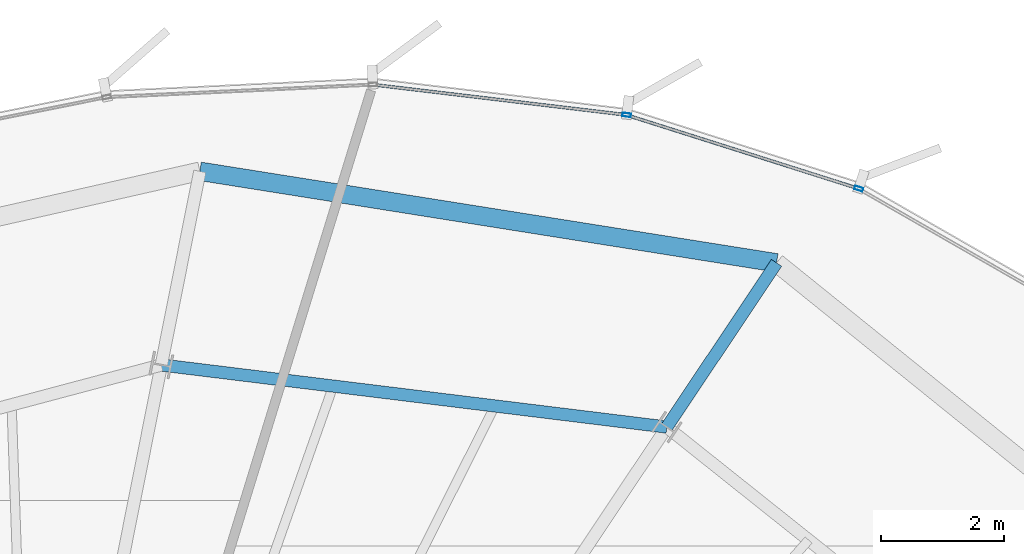
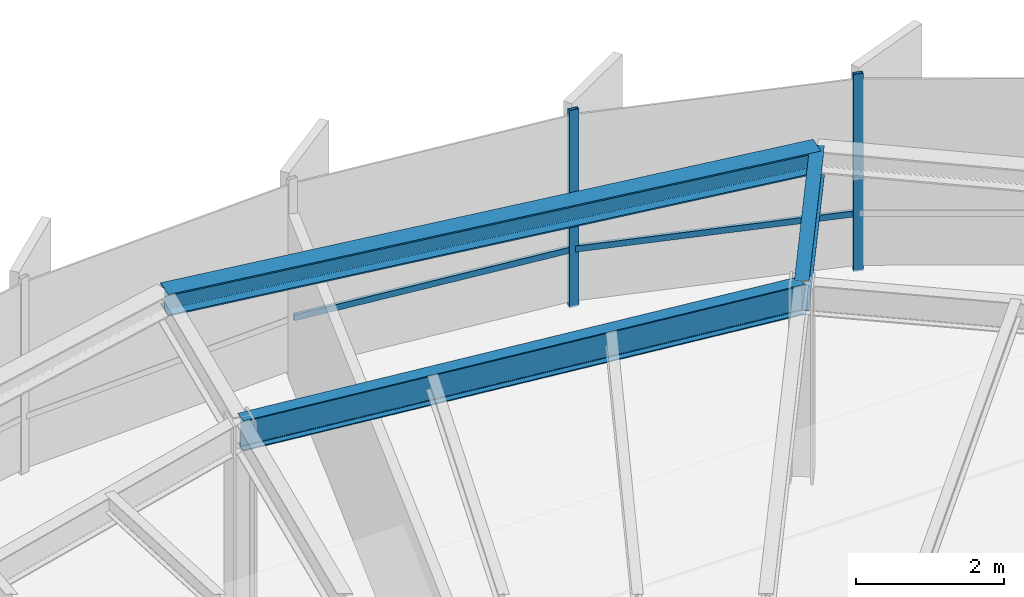
# One storey, part 26 of 35: 4 members, 3 beams, 1 element without a shape of its own.
"""IFC4 building model written with IfcOpenShell, lengths in metres."""

from ifc_helpers import new_model, si_unit, direction, frame, origin, origin_2d, place, context, subcontext, project, spatial, hollow_rectangle, i_section, extrude, source, transform, mapped, material, layer, layer_set, material_profile, profile_set, type_object, element, aggregate, save


model = new_model("IFC4")

# Units and contexts
model_context = context("Model", 3, precision=1e-05, world=origin(), true_north=direction((0.0, 1.0)))
body_context = subcontext(model_context, "Body", "Model", "MODEL_VIEW")
ifc_project = project(units=[si_unit("LENGTHUNIT", "METRE"), si_unit("AREAUNIT", "SQUARE_METRE"), si_unit("VOLUMEUNIT", "CUBIC_METRE"), si_unit("PLANEANGLEUNIT", "RADIAN"), si_unit("MASSUNIT", "GRAM", prefix="KILO"), si_unit("THERMODYNAMICTEMPERATUREUNIT", "KELVIN")], contexts=[model_context])

# Site, building, storey
site_placement = place(None, origin())
site = spatial("IfcSite", under=ifc_project, at=site_placement, CompositionType="ELEMENT")
building_placement = place(site_placement, origin())
building = spatial("IfcBuilding", under=site, at=building_placement, Name="Kethvar Cultural Tower", CompositionType="ELEMENT")
storey_placement = place(building_placement, frame((0.0, 0.0, 193.89990234375)))
storey = spatial("IfcBuildingStorey", under=building, at=storey_placement, Name="L50", CompositionType="ELEMENT", Elevation=193.89990234375)

# Beams
ifc_material_1 = material(Name="Steel S355J2", Category="steel")
ifc_material_profile_1 = material_profile(ifc_material_1, i_section(OverallWidth=0.199951171875, OverallDepth=0.5, WebThickness=0.01025390625, FlangeThickness=0.01611328125, FilletRadius=0.02099609375, at=origin_2d()), Name="Steel S355J2 — IPE500")
ifc_profile_set_1 = profile_set([ifc_material_profile_1], Name="Steel S355J2 — IPE500")
beam_type_1 = type_object("IfcBeamType", Name="BM-IPE500", PredefinedType="BEAM", material=ifc_profile_set_1)
shared_shape_1 = source(origin(), body_context, "Body", "SweptSolid", [
    extrude(i_section(OverallWidth=0.199951171875, OverallDepth=0.5, WebThickness=0.01025390625, FlangeThickness=0.01611328125, FilletRadius=0.02099609375, at=origin_2d()), origin(), (0.0, 0.0, 1.0), 3.2001953125),
])
beam_1_placement = place(storey_placement, frame((58.748046875, 45.681396484375, 3.008056640625), z_axis=(0.555544970406, 0.831486491686, 0.0), x_axis=(-0.831486491686, 0.555544970406, 0.0)))
element("IfcBeam", 1, at=beam_1_placement, inside=storey, type_object=beam_type_1, Name="L50 Perimeter Cantilever Beam RC-03", PredefinedType="BEAM", context=body_context, shape_type="MappedRepresentation", body=[
    mapped(shared_shape_1, transform((0.0, 0.0, 0.0), scale=1.0)),
])
shared_shape_2 = source(origin(), body_context, "Body", "SweptSolid", [
    extrude(i_section(OverallWidth=0.199951171875, OverallDepth=0.5, WebThickness=0.01025390625, FlangeThickness=0.01611328125, FilletRadius=0.02099609375, at=origin_2d()), origin(), (0.0, 0.0, 1.0), 8.252685546875),
])
beam_2_placement = place(storey_placement, frame((58.748046875, 45.681396484375, 3.008056640625), z_axis=(-0.992540943467, 0.121911753093, 0.0), x_axis=(-0.121911753093, -0.992540943467, 0.0)))
element("IfcBeam", 2, at=beam_2_placement, inside=storey, type_object=beam_type_1, Name="L50 Column Ring Tie Beam CR-03", PredefinedType="BEAM", context=body_context, shape_type="MappedRepresentation", body=[
    mapped(shared_shape_2, transform((0.0, 0.0, 0.0), scale=1.0)),
])
ifc_material_profile_2 = material_profile(ifc_material_1, i_section(OverallWidth=0.300048828125, OverallDepth=0.360107421875, WebThickness=0.012451171875, FlangeThickness=0.0224609375, FilletRadius=0.027099609375, at=origin_2d()), Name="Steel S355J2 — HEB360")
ifc_profile_set_2 = profile_set([ifc_material_profile_2], Name="Steel S355J2 — HEB360")
beam_type_2 = type_object("IfcBeamType", Name="BM-SP360", PredefinedType="SPANDREL", material=ifc_profile_set_2)
shared_shape_3 = source(origin(), body_context, "Body", "SweptSolid", [
    extrude(i_section(OverallWidth=0.300048828125, OverallDepth=0.360107421875, WebThickness=0.012451171875, FlangeThickness=0.0224609375, FilletRadius=0.027099609375, at=origin_2d()), origin(), (0.0, 0.0, 1.0), 9.461669921875),
])
beam_3_placement = place(storey_placement, frame((60.52587890625, 48.34228515625, 3.078125), z_axis=(-0.987629757191, 0.156803898904, 0.0), x_axis=(-0.156803898904, -0.987629757191, 0.0)))
element("IfcBeam", 3, at=beam_3_placement, inside=storey, type_object=beam_type_2, Name="L50 Perimeter Spandrel Beam SP-03", PredefinedType="SPANDREL", context=body_context, shape_type="MappedRepresentation", body=[
    mapped(shared_shape_3, transform((0.0, 0.0, 0.0), scale=1.0)),
])

# Curtain wall, members
ifc_material_2 = material(Name="Aluminium 6063-T6", Category="aluminium")
ifc_layer = layer(ifc_material_2, 0.179931640625, Name="Aluminium 6063-T6", Category="aluminium")
ifc_layer_set = layer_set([ifc_layer], Name="Aluminium 6063-T6 (180 mm)")
curtain_wall_type = type_object("IfcCurtainWallType", Name="CW-SYS-04-Z34", PredefinedType="NOTDEFINED", material=ifc_layer_set)
curtain_wall_placement = place(storey_placement, origin())
curtain_wall = element("IfcCurtainWall", 4, at=curtain_wall_placement, inside=storey, type_object=curtain_wall_type, Name="L50 Curtain Wall Run 01", PredefinedType="NOTDEFINED")
ifc_material_profile_3 = material_profile(ifc_material_2, hollow_rectangle(XDim=0.06005859375, YDim=0.139892578125, WallThickness=0.0048828125, at=origin_2d()), Name="Aluminium 6063-T6 — RHS140x60x5")
ifc_profile_set_3 = profile_set([ifc_material_profile_3], Name="Aluminium 6063-T6 — RHS140x60x5")
member_type_1 = type_object("IfcMemberType", Name="CW-SYS-04-Z34-MUL", PredefinedType="MULLION", material=ifc_profile_set_3)
shared_shape_4 = source(origin(), body_context, "Body", "SweptSolid", [
    extrude(hollow_rectangle(XDim=0.06005859375, YDim=0.139892578125, WallThickness=0.0048828125, at=origin_2d()), origin(), (0.0, 0.0, 1.0), 3.260009765625),
])
member_1_placement = place(storey_placement, frame((61.857421875, 49.54443359375, 0.0), z_axis=(0.0, 0.0, 1.0), x_axis=(-0.30220352299, -0.953243426776, 0.0)))
member_1 = element("IfcMember", 5, at=member_1_placement, type_object=member_type_1, Name="CW-L50-R01 Mullion 3", PredefinedType="MULLION", context=body_context, shape_type="MappedRepresentation", body=[
    mapped(shared_shape_4, transform((0.0, 0.0, 0.0), scale=1.0)),
])
member_2_placement = place(storey_placement, frame((58.09716796875, 50.73876953125, 0.0), z_axis=(0.0, 0.0, 1.0), x_axis=(-0.118525281045, -0.992951034922, 0.0)))
member_2 = element("IfcMember", 6, at=member_2_placement, type_object=member_type_1, Name="CW-L50-R01 Mullion 4", PredefinedType="MULLION", context=body_context, shape_type="MappedRepresentation", body=[
    mapped(shared_shape_4, transform((0.0, 0.0, 0.0), scale=1.0)),
])
ifc_material_profile_4 = material_profile(ifc_material_2, hollow_rectangle(XDim=0.050048828125, YDim=0.10009765625, WallThickness=0.00390625, at=origin_2d()), Name="Aluminium 6063-T6 — RHS100x50x4")
ifc_profile_set_4 = profile_set([ifc_material_profile_4], Name="Aluminium 6063-T6 — RHS100x50x4")
member_type_2 = type_object("IfcMemberType", Name="CW-SYS-04-Z34-TRN", PredefinedType="USERDEFINED", material=ifc_profile_set_4)
shared_shape_5 = source(origin(), body_context, "Body", "SweptSolid", [
    extrude(hollow_rectangle(XDim=0.050048828125, YDim=0.10009765625, WallThickness=0.00390625, at=origin_2d()), origin(), (0.0, 0.0, 1.0), 3.879638671875),
])
member_3_placement = place(storey_placement, frame((61.816162109375, 49.5576171875, 0.9501953125), z_axis=(-0.953249208473, 0.302185285126, 0.0), x_axis=(-0.302185285126, -0.953249208473, 0.0)))
member_3 = element("IfcMember", 7, at=member_3_placement, type_object=member_type_2, Name="CW-L50-R01 Transom 3", ObjectType="TRANSOM", PredefinedType="USERDEFINED", context=body_context, shape_type="MappedRepresentation", body=[
    mapped(shared_shape_5, transform((0.0, 0.0, 0.0), scale=1.0)),
])
shared_shape_6 = source(origin(), body_context, "Body", "SweptSolid", [
    extrude(hollow_rectangle(XDim=0.050048828125, YDim=0.10009765625, WallThickness=0.00390625, at=origin_2d()), origin(), (0.0, 0.0, 1.0), 4.0732421875),
])
member_4_placement = place(storey_placement, frame((58.05419921875, 50.743896484375, 0.9501953125), z_axis=(-0.992954058267, 0.11849995009, 0.0), x_axis=(-0.11849995009, -0.992954058267, 0.0)))
member_4 = element("IfcMember", 8, at=member_4_placement, type_object=member_type_2, Name="CW-L50-R01 Transom 4", ObjectType="TRANSOM", PredefinedType="USERDEFINED", context=body_context, shape_type="MappedRepresentation", body=[
    mapped(shared_shape_6, transform((0.0, 0.0, 0.0), scale=1.0)),
])
aggregate(curtain_wall, [member_1, member_2, member_3, member_4])

save(model, "model.ifc")
